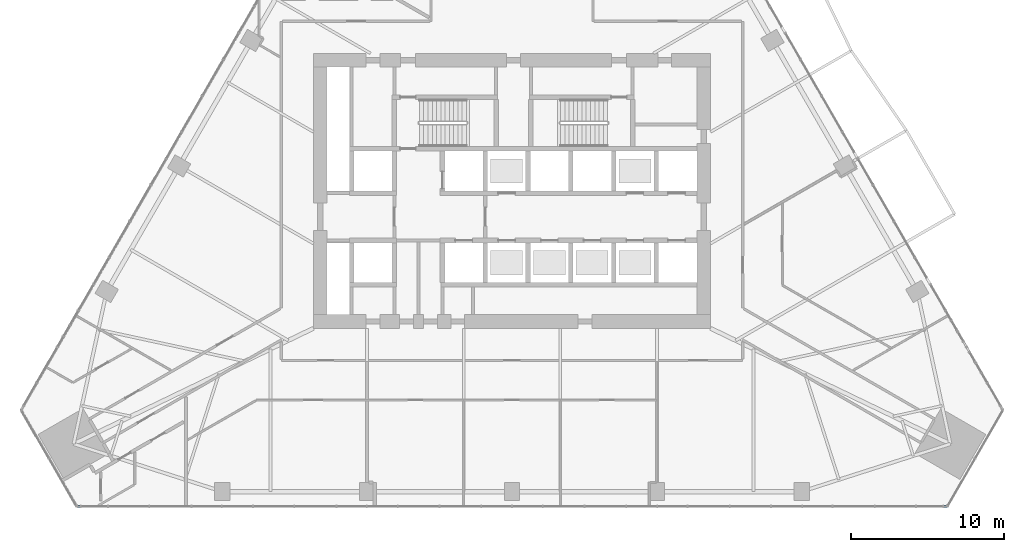
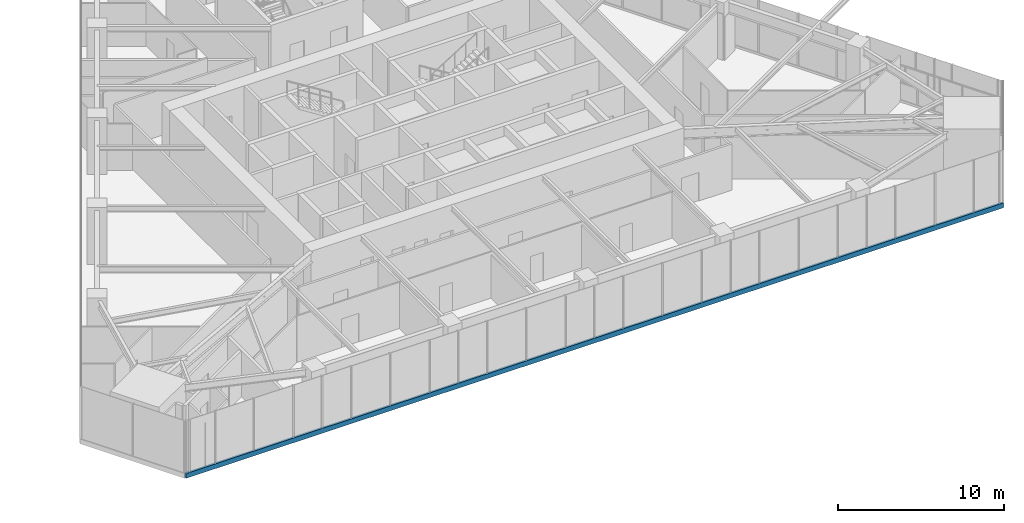
# One storey, part 6 of 26: 1 member, 1 element without a shape of its own.
"""IFC4 building model written with IfcOpenShell, lengths in metres."""

from ifc_helpers import new_model, si_unit, direction, frame, origin, origin_2d, place, context, subcontext, project, spatial, rectangle, extrude, material, layer, layer_set, material_profile, profile_set, type_object, element, aggregate, save


model = new_model("IFC4")

# Units and contexts
model_context = context("Model", 3, precision=1e-05, world=origin(), true_north=direction((0.0, 1.0)))
body_context = subcontext(model_context, "Body", "Model", "MODEL_VIEW")
ifc_project = project(units=[si_unit("LENGTHUNIT", "METRE"), si_unit("AREAUNIT", "SQUARE_METRE"), si_unit("VOLUMEUNIT", "CUBIC_METRE"), si_unit("PLANEANGLEUNIT", "RADIAN"), si_unit("MASSUNIT", "GRAM", prefix="KILO")], contexts=[model_context])

# Site, building, storey
site_placement = place(None, origin())
site = spatial("IfcSite", under=ifc_project, at=site_placement, CompositionType="ELEMENT")
building_placement = place(site_placement, origin())
building = spatial("IfcBuilding", under=site, at=building_placement, Name="Firuza Gate Tower and Library", CompositionType="ELEMENT")
storey_placement = place(building_placement, frame((0.0, 0.0, 77.800048828125)))
storey = spatial("IfcBuildingStorey", under=building, at=storey_placement, Name="L17", CompositionType="ELEMENT", Elevation=77.800048828125)

# Curtain wall, member
ifc_material_1 = material(Name="Aluminium 6063-T6", Category="aluminium")
ifc_layer = layer(ifc_material_1, 0.14990234375)
ifc_layer_set = layer_set([ifc_layer], Name="Unitised curtain wall, offices")
curtain_wall_type = type_object("IfcCurtainWallType", Name="Unitised curtain wall, offices", PredefinedType="NOTDEFINED", material=ifc_layer_set)
curtain_wall_placement = place(storey_placement, origin())
curtain_wall = element("IfcCurtainWall", 1, at=curtain_wall_placement, inside=storey, type_object=curtain_wall_type, Name="CW1 L17 S face", PredefinedType="NOTDEFINED")
ifc_material_2 = material(Name="Aluminium 6063-T6", Category="aluminium")
ifc_material_profile = material_profile(ifc_material_2, rectangle(XDim=0.14990234375, YDim=0.35009765625, at=origin_2d()))
ifc_profile_set = profile_set([ifc_material_profile], Name="Aluminium 6063-T6")
member_type = type_object("IfcMemberType", Name="Curtain wall transom 350x150", PredefinedType="USERDEFINED", material=ifc_profile_set)
member_placement = place(storey_placement, frame((46.500732421875, 54.339111328125, -0.025146484375), z_axis=(1.0, 0.0, 0.0), x_axis=(0.0, 1.0, 0.0)))
member = element("IfcMember", 2, at=member_placement, type_object=member_type, Name="Transom", ObjectType="TRANSOM", PredefinedType="USERDEFINED", context=body_context, shape_type="SweptSolid", body=[
    extrude(rectangle(XDim=0.14990234375, YDim=0.35009765625, at=origin_2d()), origin(), (0.0, 0.0, 1.0), 56.99853515625),
])
aggregate(curtain_wall, [member])

save(model, "model.ifc")
